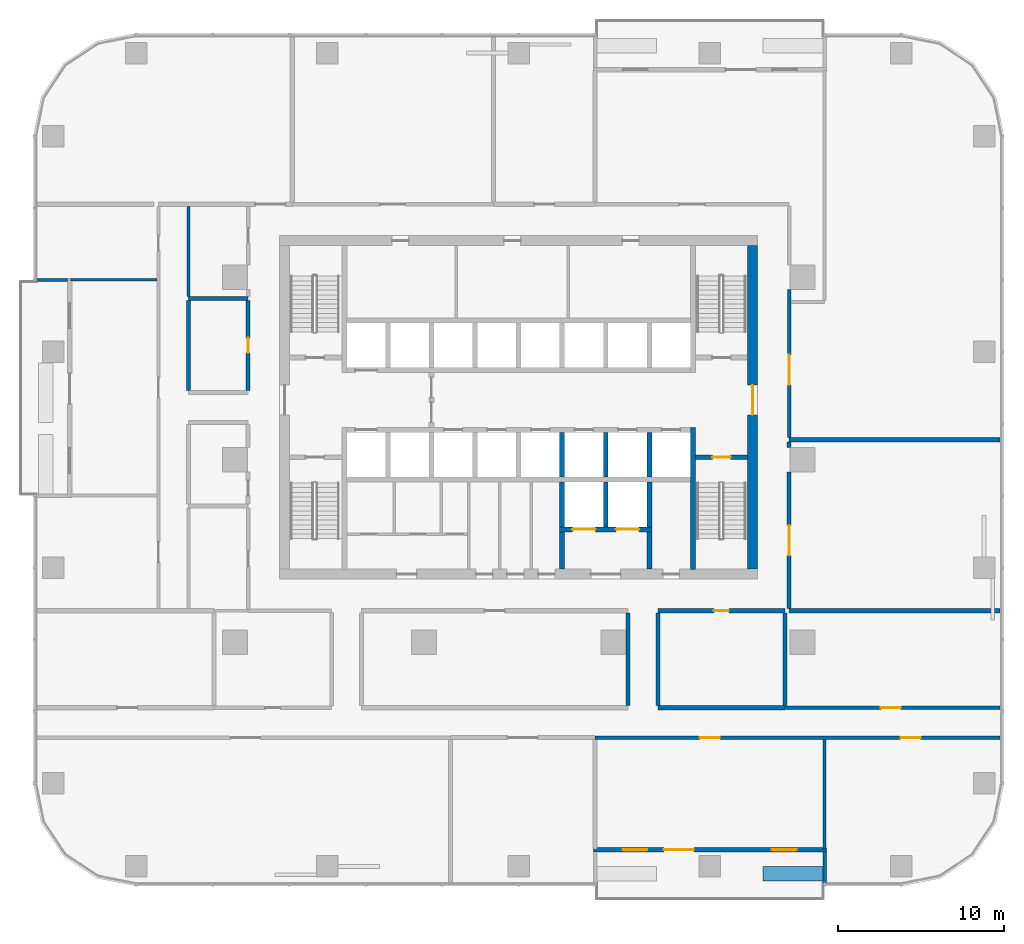
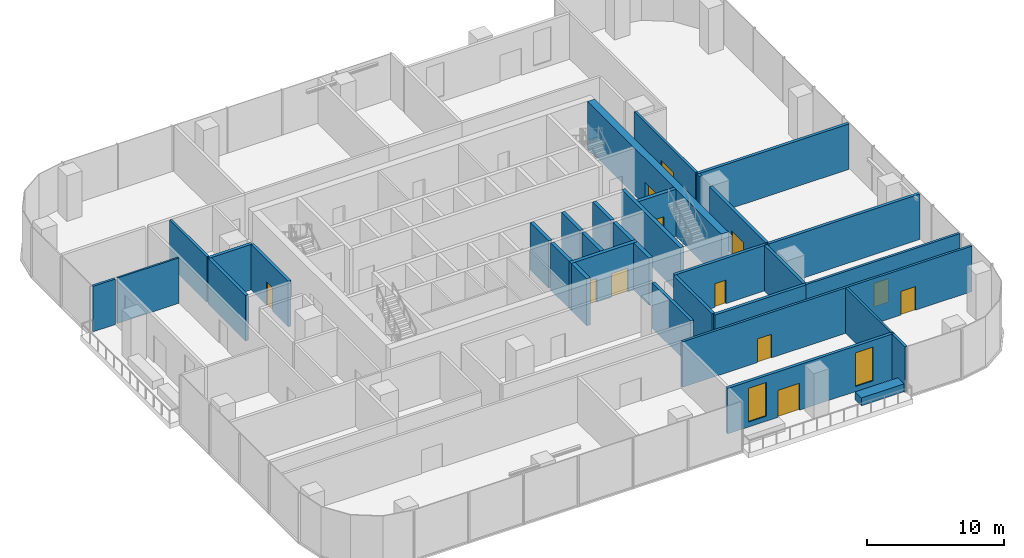
# One storey, part 9 of 15: 34 walls, 12 doors, 2 windows, 14 openings.
"""IFC4 building model written with IfcOpenShell, lengths in metres."""

from ifc_helpers import new_model, si_unit, direction, frame, frame_2d, origin, place, context, subcontext, project, spatial, rectangle, extrude, material, layer, layer_set, type_object, element, fill, save


model = new_model("IFC4")

# Units and contexts
model_context = context("Model", 3, precision=1e-05, world=origin(), true_north=direction((0.0, 1.0)))
body_context = subcontext(model_context, "Body", "Model", "MODEL_VIEW")
ifc_project = project(units=[si_unit("LENGTHUNIT", "METRE"), si_unit("AREAUNIT", "SQUARE_METRE"), si_unit("VOLUMEUNIT", "CUBIC_METRE"), si_unit("PLANEANGLEUNIT", "RADIAN"), si_unit("MASSUNIT", "GRAM", prefix="KILO")], contexts=[model_context])

# Site, building, storey
site_placement = place(None, origin())
site = spatial("IfcSite", under=ifc_project, at=site_placement, CompositionType="ELEMENT")
building_placement = place(site_placement, origin())
building = spatial("IfcBuilding", under=site, at=building_placement, Name="Mopane Tessera Tower", CompositionType="ELEMENT")
storey_placement = place(building_placement, frame((0.0, 0.0, 117.10009765625)))
storey = spatial("IfcBuildingStorey", under=building, at=storey_placement, Name="L23", CompositionType="ELEMENT", Elevation=117.10009765625)

# Wall, opening, door
ifc_material_1 = material(Name="Concrete C70/85", Category="concrete")
ifc_layer_1 = layer(ifc_material_1, 0.60009765625)
ifc_layer_set_1 = layer_set([ifc_layer_1], Name="Concrete C70/85")
wall_type_1 = type_object("IfcWallType", Name="Core shear wall 600 mm", PredefinedType="SHEAR", material=ifc_layer_set_1)
wall_1_placement = place(storey_placement, frame((14.10009765625, -6.60009765625, 0.0), z_axis=(0.0, 0.0, 1.0), x_axis=(0.0, 1.0, 0.0)))
wall_1 = element("IfcWall", 1, at=wall_1_placement, inside=storey, type_object=wall_type_1, Name="L23 Core wall east", PredefinedType="SHEAR", context=body_context, shape_type="SweptSolid", body=[
    extrude(rectangle(XDim=19.5, YDim=0.60009765625, at=frame_2d((9.75, 0.0))), origin(), (0.0, 0.0, 1.0), 4.199951171875),
])
opening_1_placement = place(wall_1_placement, frame((9.300048828125, 0.0, 0.0)))
opening_1 = element("IfcOpeningElement", 2, at=opening_1_placement, cuts=wall_1, Name="Opening SD2", PredefinedType="OPENING", context=body_context, shape_type="SweptSolid", body=[
    extrude(rectangle(XDim=1.800048828125, YDim=2.10009765625, at=frame_2d((0.89990234375, 1.050048828125))), frame((0.0, 0.31201171875, 0.0), z_axis=(0.0, -1.0, 0.0), x_axis=(1.0, 0.0, 0.0)), (0.0, 0.0, 1.0), 0.6240234375),
])
ifc_material_2 = material(Name="Steel fire door", Category="steel")
door_type_1 = type_object("IfcDoorType", Name="Core entrance double door 1800 x 2100", OperationType="DOUBLE_DOOR_SINGLE_SWING", PredefinedType="DOOR", material=ifc_material_2)
door_1_placement = place(opening_1_placement, origin())
door_1 = element("IfcDoor", 3, at=door_1_placement, inside=storey, type_object=door_type_1, Name="L23 Core entrance door east", OperationType="DOUBLE_DOOR_SINGLE_SWING", OverallHeight=2.10009765625, OverallWidth=1.800048828125, PredefinedType="DOOR", context=body_context, shape_type="SweptSolid", body=[
    extrude(rectangle(XDim=1.800048828125, YDim=2.10009765625, at=frame_2d((0.89990234375, 1.050048828125))), frame((0.0, 0.02490234375, 0.0), z_axis=(0.0, -1.0, 0.0), x_axis=(1.0, 0.0, 0.0)), (0.0, 0.0, 1.0), 0.050048828125),
])
fill(opening_1, door_1)

# Walls
ifc_material_3 = material(Name="Concrete C60/75", Category="concrete")
ifc_layer_2 = layer(ifc_material_3, 0.300048828125)
ifc_layer_set_2 = layer_set([ifc_layer_2], Name="Concrete C60/75")
wall_type_2 = type_object("IfcWallType", Name="Core spine wall 300 mm", PredefinedType="SHEAR", material=ifc_layer_set_2)
wall_2_placement = place(storey_placement, frame((10.5, -6.60009765625, 0.0), z_axis=(0.0, 0.0, 1.0), x_axis=(0.0, 1.0, 0.0)))
element("IfcWall", 4, at=wall_2_placement, inside=storey, type_object=wall_type_2, Name="L23 Core spine wall", PredefinedType="SHEAR", context=body_context, shape_type="SweptSolid", body=[
    extrude(rectangle(XDim=8.550048828125, YDim=0.300048828125, at=frame_2d((4.27490234375, 0.0))), origin(), (0.0, 0.0, 1.0), 4.199951171875),
])
ifc_material_4 = material(Name="Gypsum board on staggered steel studs, double layer each face, acoustic mineral wool infill", Category="steel")
ifc_layer_3 = layer(ifc_material_4, 0.175048828125)
ifc_layer_set_3 = layer_set([ifc_layer_3], Name="Gypsum board on staggered steel studs, double layer each face, acoustic mineral wool infill")
wall_type_3 = type_object("IfcWallType", Name="Gypsum board acoustic partition 175, rated EI 60", PredefinedType="PARTITIONING", material=ifc_layer_set_3)
wall_3_placement = place(storey_placement, frame((18.43994140625, -23.449951171875, 0.0), z_axis=(0.0, 0.0, 1.0), x_axis=(0.0, 1.0, 0.0)))
element("IfcWall", 5, at=wall_3_placement, inside=storey, type_object=wall_type_3, Name="Partition L23:053", PredefinedType="PARTITIONING", context=body_context, shape_type="SweptSolid", body=[
    extrude(rectangle(XDim=6.599853515625, YDim=0.175048828125, at=frame_2d((3.2998046875, 0.0))), origin(), (0.0, 0.0, 1.0), 4.0498046875),
])

# Wall, openings, doors
ifc_material_5 = material(Name="Gypsum board on steel studs, two layers each face, mineral wool infill", Category="steel")
ifc_layer_4 = layer(ifc_material_5, 0.199951171875)
ifc_layer_set_4 = layer_set([ifc_layer_4], Name="Gypsum board on steel studs, two layers each face, mineral wool infill")
wall_type_4 = type_object("IfcWallType", Name="Gypsum board corridor wall 200, rated EI 60", PredefinedType="PARTITIONING", material=ifc_layer_set_4)
wall_4_placement = place(storey_placement, frame((4.610107421875, -16.75, 0.0), z_axis=(0.0, 0.0, 1.0), x_axis=(1.0, 0.0, 0.0)))
wall_4 = element("IfcWall", 6, at=wall_4_placement, inside=storey, type_object=wall_type_4, Name="Partition L23:001", PredefinedType="PARTITIONING", context=body_context, shape_type="SweptSolid", body=[
    extrude(rectangle(XDim=24.389892578125, YDim=0.199951171875, at=frame_2d((12.19482421875, 0.0))), origin(), (0.0, 0.0, 1.0), 4.0498046875),
])
opening_2_placement = place(wall_4_placement, frame((18.409912109375, 0.0, 0.0)))
opening_2 = element("IfcOpeningElement", 7, at=opening_2_placement, cuts=wall_4, Name="Opening L23-05", PredefinedType="OPENING", context=body_context, shape_type="SweptSolid", body=[
    extrude(rectangle(XDim=1.199951171875, YDim=2.10009765625, at=frame_2d((0.60009765625, 1.050048828125))), frame((0.0, 0.112060546875, 0.0), z_axis=(0.0, -1.0, 0.0), x_axis=(1.0, 0.0, 0.0)), (0.0, 0.0, 1.0), 0.223876953125),
])
opening_3_placement = place(wall_4_placement, frame((6.31494140625, 0.0, 0.0)))
opening_3 = element("IfcOpeningElement", 8, at=opening_3_placement, cuts=wall_4, Name="Opening L23-17", PredefinedType="OPENING", context=body_context, shape_type="SweptSolid", body=[
    extrude(rectangle(XDim=1.199951171875, YDim=2.10009765625, at=frame_2d((0.60009765625, 1.050048828125))), frame((0.0, 0.112060546875, 0.0), z_axis=(0.0, -1.0, 0.0), x_axis=(1.0, 0.0, 0.0)), (0.0, 0.0, 1.0), 0.223876953125),
])
ifc_material_6 = material(Name="Timber veneered steel-framed fire door", Category="steel")
door_type_2 = type_object("IfcDoorType", Name="Fire door FD60 1200 x 2100", OperationType="SINGLE_SWING_LEFT", PredefinedType="DOOR", material=ifc_material_6)
door_2_placement = place(opening_2_placement, origin())
door_2 = element("IfcDoor", 9, at=door_2_placement, inside=storey, type_object=door_type_2, Name="Door L23-05", ObjectType="D15A", OperationType="SINGLE_SWING_LEFT", OverallHeight=2.10009765625, OverallWidth=1.199951171875, PredefinedType="DOOR", context=body_context, shape_type="SweptSolid", body=[
    extrude(rectangle(XDim=1.199951171875, YDim=2.10009765625, at=frame_2d((0.60009765625, 1.050048828125))), frame((0.0, 0.02490234375, 0.0), z_axis=(0.0, -1.0, 0.0), x_axis=(1.0, 0.0, 0.0)), (0.0, 0.0, 1.0), 0.050048828125),
])
fill(opening_2, door_2)
door_3_placement = place(opening_3_placement, origin())
door_3 = element("IfcDoor", 10, at=door_3_placement, inside=storey, type_object=door_type_2, Name="Door L23-17", ObjectType="D15A", OperationType="SINGLE_SWING_LEFT", OverallHeight=2.10009765625, OverallWidth=1.199951171875, PredefinedType="DOOR", context=body_context, shape_type="SweptSolid", body=[
    extrude(rectangle(XDim=1.199951171875, YDim=2.10009765625, at=frame_2d((0.60009765625, 1.050048828125))), frame((0.0, 0.02490234375, 0.0), z_axis=(0.0, -1.0, 0.0), x_axis=(1.0, 0.0, 0.0)), (0.0, 0.0, 1.0), 0.050048828125),
])
fill(opening_3, door_3)

# Wall, opening, door
wall_5_placement = place(storey_placement, frame((16.044921875, -14.949951171875, 0.0), z_axis=(0.0, 0.0, 1.0), x_axis=(1.0, 0.0, 0.0)))
wall_5 = element("IfcWall", 11, at=wall_5_placement, inside=storey, type_object=wall_type_4, Name="Partition L23:004", PredefinedType="PARTITIONING", context=body_context, shape_type="SweptSolid", body=[
    extrude(rectangle(XDim=12.955078125, YDim=0.199951171875, at=frame_2d((6.4775390625, 0.0))), origin(), (0.0, 0.0, 1.0), 4.0498046875),
])
opening_4_placement = place(wall_5_placement, frame((5.777587890625, 0.0, 0.0)))
opening_4 = element("IfcOpeningElement", 12, at=opening_4_placement, cuts=wall_5, Name="Opening L23-21", PredefinedType="OPENING", context=body_context, shape_type="SweptSolid", body=[
    extrude(rectangle(XDim=1.199951171875, YDim=2.10009765625, at=frame_2d((0.60009765625, 1.050048828125))), frame((0.0, 0.112060546875, 0.0), z_axis=(0.0, -1.0, 0.0), x_axis=(1.0, 0.0, 0.0)), (0.0, 0.0, 1.0), 0.223876953125),
])
door_4_placement = place(opening_4_placement, origin())
door_4 = element("IfcDoor", 13, at=door_4_placement, inside=storey, type_object=door_type_2, Name="Door L23-21", ObjectType="D15A", OperationType="SINGLE_SWING_RIGHT", OverallHeight=2.10009765625, OverallWidth=1.199951171875, PredefinedType="DOOR", context=body_context, shape_type="SweptSolid", body=[
    extrude(rectangle(XDim=1.199951171875, YDim=2.10009765625, at=frame_2d((0.60009765625, 1.050048828125))), frame((0.0, 0.02490234375, 0.0), z_axis=(0.0, -1.0, 0.0), x_axis=(1.0, 0.0, 0.0)), (0.0, 0.0, 1.0), 0.050048828125),
])
fill(opening_4, door_4)

# Wall
wall_6_placement = place(storey_placement, frame((-19.89990234375, 9.85009765625, 0.0), z_axis=(0.0, 0.0, 1.0), x_axis=(0.0, 1.0, 0.0)))
element("IfcWall", 14, at=wall_6_placement, inside=storey, type_object=wall_type_4, Name="Partition L23:029", PredefinedType="PARTITIONING", context=body_context, shape_type="SweptSolid", body=[
    extrude(rectangle(XDim=5.4248046875, YDim=0.199951171875, at=frame_2d((2.71240234375, 0.0))), origin(), (0.0, 0.0, 1.0), 4.0498046875),
])

# Wall, opening, door
wall_7_placement = place(storey_placement, frame((16.300048828125, 1.324951171875, 0.0), z_axis=(0.0, 0.0, 1.0), x_axis=(0.0, 1.0, 0.0)))
wall_7 = element("IfcWall", 15, at=wall_7_placement, inside=storey, type_object=wall_type_4, Name="Partition L23:049", PredefinedType="PARTITIONING", context=body_context, shape_type="SweptSolid", body=[
    extrude(rectangle(XDim=8.925048828125, YDim=0.199951171875, at=frame_2d((4.46240234375, 0.0))), origin(), (0.0, 0.0, 1.0), 4.0498046875),
])
opening_5_placement = place(wall_7_placement, frame((3.1875, 0.0, 0.0)))
opening_5 = element("IfcOpeningElement", 16, at=opening_5_placement, cuts=wall_7, Name="Opening L23-04", PredefinedType="OPENING", context=body_context, shape_type="SweptSolid", body=[
    extrude(rectangle(XDim=1.800048828125, YDim=2.10009765625, at=frame_2d((0.89990234375, 1.050048828125))), frame((0.0, 0.112060546875, 0.0), z_axis=(0.0, -1.0, 0.0), x_axis=(1.0, 0.0, 0.0)), (0.0, 0.0, 1.0), 0.223876953125),
])
ifc_material_7 = material(Name="Timber veneered steel-framed fire door", Category="steel")
door_type_3 = type_object("IfcDoorType", Name="Fire door pair FD60 1800 x 2100", OperationType="DOUBLE_DOOR_SINGLE_SWING", PredefinedType="DOOR", material=ifc_material_7)
door_5_placement = place(opening_5_placement, origin())
door_5 = element("IfcDoor", 17, at=door_5_placement, inside=storey, type_object=door_type_3, Name="Door L23-04", ObjectType="D20A", OperationType="DOUBLE_DOOR_SINGLE_SWING", OverallHeight=2.10009765625, OverallWidth=1.800048828125, PredefinedType="DOOR", context=body_context, shape_type="SweptSolid", body=[
    extrude(rectangle(XDim=1.800048828125, YDim=2.10009765625, at=frame_2d((0.89990234375, 1.050048828125))), frame((0.0, 0.02490234375, 0.0), z_axis=(0.0, -1.0, 0.0), x_axis=(1.0, 0.0, 0.0)), (0.0, 0.0, 1.0), 0.050048828125),
])
fill(opening_5, door_5)

# Wall
ifc_material_8 = material(Name="Gypsum board on steel studs, mineral wool infill", Category="steel")
ifc_layer_5 = layer(ifc_material_8, 0.14990234375)
ifc_layer_set_5 = layer_set([ifc_layer_5], Name="Gypsum board on steel studs, mineral wool infill")
wall_type_5 = type_object("IfcWallType", Name="Gypsum board partition 150, rated EI 60", PredefinedType="PARTITIONING", material=ifc_layer_set_5)
wall_8_placement = place(storey_placement, frame((-27.0, 10.8349609375, 0.0), z_axis=(0.0, 0.0, 1.0), x_axis=(1.0, 0.0, 0.0)))
element("IfcWall", 18, at=wall_8_placement, inside=storey, type_object=wall_type_5, Name="Partition L23:021", PredefinedType="PARTITIONING", context=body_context, shape_type="SweptSolid", body=[
    extrude(rectangle(XDim=5.199951171875, YDim=0.14990234375, at=frame_2d((2.60009765625, 0.0))), origin(), (0.0, 0.0, 1.0), 4.0498046875),
])

# Wall, opening, door
ifc_material_9 = material(Name="Concrete C50/60", Category="concrete")
ifc_layer_6 = layer(ifc_material_9, 0.300048828125)
ifc_layer_set_6 = layer_set([ifc_layer_6], Name="Concrete C50/60")
wall_type_6 = type_object("IfcWallType", Name="Lift and stair shaft wall 300 mm", PredefinedType="SOLIDWALL", material=ifc_layer_set_6)
wall_9_placement = place(storey_placement, frame((10.64990234375, 0.14990234375, 0.0), z_axis=(0.0, 0.0, 1.0), x_axis=(1.0, 0.0, 0.0)))
wall_9 = element("IfcWall", 19, at=wall_9_placement, inside=storey, type_object=wall_type_6, Name="L23 Stair enclosure wall", PredefinedType="SOLIDWALL", context=body_context, shape_type="SweptSolid", body=[
    extrude(rectangle(XDim=3.150146484375, YDim=0.300048828125, at=frame_2d((1.5751953125, 0.0))), origin(), (0.0, 0.0, 1.0), 4.199951171875),
])
opening_6_placement = place(wall_9_placement, frame((1.02490234375, 0.0, 0.0)))
opening_6 = element("IfcOpeningElement", 20, at=opening_6_placement, cuts=wall_9, Name="Opening SD1", PredefinedType="OPENING", context=body_context, shape_type="SweptSolid", body=[
    extrude(rectangle(XDim=1.10009765625, YDim=2.10009765625, at=frame_2d((0.550048828125, 1.050048828125))), frame((0.0, 0.162109375, 0.0), z_axis=(0.0, -1.0, 0.0), x_axis=(1.0, 0.0, 0.0)), (0.0, 0.0, 1.0), 0.323974609375),
])
ifc_material_10 = material(Name="Steel fire door", Category="steel")
door_type_4 = type_object("IfcDoorType", Name="Stair fire door 1100 x 2100", OperationType="SINGLE_SWING_LEFT", PredefinedType="DOOR", material=ifc_material_10)
door_6_placement = place(opening_6_placement, origin())
door_6 = element("IfcDoor", 21, at=door_6_placement, inside=storey, type_object=door_type_4, Name="L23 Stair door ST3", OperationType="SINGLE_SWING_RIGHT", OverallHeight=2.10009765625, OverallWidth=1.10009765625, PredefinedType="DOOR", context=body_context, shape_type="SweptSolid", body=[
    extrude(rectangle(XDim=1.10009765625, YDim=2.10009765625, at=frame_2d((0.550048828125, 1.050048828125))), frame((0.0, 0.02490234375, 0.0), z_axis=(0.0, -1.0, 0.0), x_axis=(1.0, 0.0, 0.0)), (0.0, 0.0, 1.0), 0.050048828125),
])
fill(opening_6, door_6)

# Walls
for number, where, z_axis, x_axis, name in (
    (22, (2.625, -1.050048828125, 0.0), (0.0, 0.0, 1.0), (0.0, 1.0, 0.0), "L23 Lift shaft wall"),
    (23, (5.25, -1.050048828125, 0.0), (0.0, 0.0, 1.0), (0.0, 1.0, 0.0), "L23 Lift shaft wall"),
    (24, (7.875, -1.050048828125, 0.0), (0.0, 0.0, 1.0), (0.0, 1.0, 0.0), "L23 Lift shaft wall"),
):
    element("IfcWall", number, at=place(storey_placement, frame(where, z_axis=z_axis, x_axis=x_axis)), inside=storey, type_object=wall_type_6, Name=name, PredefinedType="SOLIDWALL", context=body_context, shape_type="SweptSolid", body=[
        extrude(rectangle(XDim=2.699951171875, YDim=0.300048828125, at=frame_2d((1.35009765625, 0.0))), origin(), (0.0, 0.0, 1.0), 4.199951171875),
    ])

# Wall, openings, doors
wall_10_placement = place(storey_placement, frame((2.47509765625, -4.199951171875, 0.0), z_axis=(0.0, 0.0, 1.0), x_axis=(1.0, 0.0, 0.0)))
wall_10 = element("IfcWall", 25, at=wall_10_placement, inside=storey, type_object=wall_type_6, Name="L23 Lift shaft front wall", PredefinedType="SOLIDWALL", context=body_context, shape_type="SweptSolid", body=[
    extrude(rectangle(XDim=5.5498046875, YDim=0.300048828125, at=frame_2d((2.77490234375, 0.0))), origin(), (0.0, 0.0, 1.0), 4.199951171875),
])
opening_7_placement = place(wall_10_placement, frame((0.762451171875, 0.0, 0.0)))
opening_7 = element("IfcOpeningElement", 26, at=opening_7_placement, cuts=wall_10, Name="Opening LD3", PredefinedType="OPENING", context=body_context, shape_type="SweptSolid", body=[
    extrude(rectangle(XDim=1.39990234375, YDim=2.10009765625, at=frame_2d((0.699951171875, 1.050048828125))), frame((0.0, 0.162109375, 0.0), z_axis=(0.0, -1.0, 0.0), x_axis=(1.0, 0.0, 0.0)), (0.0, 0.0, 1.0), 0.323974609375),
])
opening_8_placement = place(wall_10_placement, frame((3.387451171875, 0.0, 0.0)))
opening_8 = element("IfcOpeningElement", 27, at=opening_8_placement, cuts=wall_10, Name="Opening LD3", PredefinedType="OPENING", context=body_context, shape_type="SweptSolid", body=[
    extrude(rectangle(XDim=1.39990234375, YDim=2.10009765625, at=frame_2d((0.699951171875, 1.050048828125))), frame((0.0, 0.162109375, 0.0), z_axis=(0.0, -1.0, 0.0), x_axis=(1.0, 0.0, 0.0)), (0.0, 0.0, 1.0), 0.323974609375),
])
ifc_material_11 = material(Name="Stainless steel sliding door", Category="steel")
door_type_5 = type_object("IfcDoorType", Name="Service lift landing door 1400 x 2100", OperationType="DOUBLE_DOOR_SLIDING", PredefinedType="DOOR", material=ifc_material_11)
door_7_placement = place(opening_7_placement, origin())
door_7 = element("IfcDoor", 28, at=door_7_placement, inside=storey, type_object=door_type_5, Name="L23 Lift landing door SV1", OperationType="DOUBLE_DOOR_SLIDING", OverallHeight=2.10009765625, OverallWidth=1.39990234375, PredefinedType="DOOR", context=body_context, shape_type="SweptSolid", body=[
    extrude(rectangle(XDim=1.39990234375, YDim=2.10009765625, at=frame_2d((0.699951171875, 1.050048828125))), frame((0.0, 0.02490234375, 0.0), z_axis=(0.0, -1.0, 0.0), x_axis=(1.0, 0.0, 0.0)), (0.0, 0.0, 1.0), 0.050048828125),
])
fill(opening_7, door_7)
door_8_placement = place(opening_8_placement, origin())
door_8 = element("IfcDoor", 29, at=door_8_placement, inside=storey, type_object=door_type_5, Name="L23 Lift landing door SV2", OperationType="DOUBLE_DOOR_SLIDING", OverallHeight=2.10009765625, OverallWidth=1.39990234375, PredefinedType="DOOR", context=body_context, shape_type="SweptSolid", body=[
    extrude(rectangle(XDim=1.39990234375, YDim=2.10009765625, at=frame_2d((0.699951171875, 1.050048828125))), frame((0.0, 0.02490234375, 0.0), z_axis=(0.0, -1.0, 0.0), x_axis=(1.0, 0.0, 0.0)), (0.0, 0.0, 1.0), 0.050048828125),
])
fill(opening_8, door_8)

# Walls
for number, where, z_axis, x_axis, name in (
    (30, (2.625, -4.050048828125, 0.0), (0.0, 0.0, 1.0), (0.0, 1.0, 0.0), "L23 Lift shaft wall"),
    (31, (5.25, -4.050048828125, 0.0), (0.0, 0.0, 1.0), (0.0, 1.0, 0.0), "L23 Lift shaft wall"),
    (32, (7.875, -4.050048828125, 0.0), (0.0, 0.0, 1.0), (0.0, 1.0, 0.0), "L23 Lift shaft wall"),
):
    element("IfcWall", number, at=place(storey_placement, frame(where, z_axis=z_axis, x_axis=x_axis)), inside=storey, type_object=wall_type_6, Name=name, PredefinedType="SOLIDWALL", context=body_context, shape_type="SweptSolid", body=[
        extrude(rectangle(XDim=2.699951171875, YDim=0.300048828125, at=frame_2d((1.35009765625, 0.0))), origin(), (0.0, 0.0, 1.0), 4.199951171875),
    ])
ifc_material_12 = material(Name="Concrete C50/60", Category="concrete")
ifc_layer_7 = layer(ifc_material_12, 0.300048828125)
ifc_layer_set_7 = layer_set([ifc_layer_7], Name="Concrete C50/60")
wall_type_7 = type_object("IfcWallType", Name="Lobby and refuge room wall 300 mm", PredefinedType="SOLIDWALL", material=ifc_layer_set_7)
for number, where, z_axis, x_axis, name in (
    (33, (2.625, -6.60009765625, 0.0), (0.0, 0.0, 1.0), (0.0, 1.0, 0.0), "L23 Service lobby wall"),
    (34, (7.875, -6.60009765625, 0.0), (0.0, 0.0, 1.0), (0.0, 1.0, 0.0), "L23 Service lobby wall"),
):
    element("IfcWall", number, at=place(storey_placement, frame(where, z_axis=z_axis, x_axis=x_axis)), inside=storey, type_object=wall_type_7, Name=name, PredefinedType="SOLIDWALL", context=body_context, shape_type="SweptSolid", body=[
        extrude(rectangle(XDim=2.25, YDim=0.300048828125, at=frame_2d((1.125, 0.0))), origin(), (0.0, 0.0, 1.0), 4.199951171875),
    ])
ifc_material_13 = material(Name="Reinforced concrete C32/40 with waterproofing", Category="concrete")
ifc_layer_8 = layer(ifc_material_13, 0.89990234375)
ifc_layer_set_8 = layer_set([ifc_layer_8], Name="Reinforced concrete C32/40 with waterproofing")
wall_type_8 = type_object("IfcWallType", Name="Planter trough 3600 x 900", PredefinedType="STANDARD", material=ifc_layer_set_8)
wall_11_placement = place(storey_placement, frame((14.739990234375, -24.949951171875, 0.0), z_axis=(0.0, 0.0, 1.0), x_axis=(1.0, 0.0, 0.0)))
element("IfcWall", 35, at=wall_11_placement, inside=storey, type_object=wall_type_8, Name="e:nw:L23:N3:pl1", PredefinedType="STANDARD", context=body_context, shape_type="SweptSolid", body=[
    extrude(rectangle(XDim=3.60009765625, YDim=0.89990234375, at=frame_2d((1.800048828125, 0.0))), origin(), (0.0, 0.0, 1.0), 0.699951171875),
])
ifc_material_14 = material(Name="Plastered concrete blockwork C20/25", Category="masonry")
ifc_layer_9 = layer(ifc_material_14, 0.25)
ifc_layer_set_9 = layer_set([ifc_layer_9], Name="Plastered concrete blockwork C20/25")
wall_type_9 = type_object("IfcWallType", Name="Plastered blockwork wall 250, rated EI 120", PredefinedType="PARTITIONING", material=ifc_layer_set_9)
wall_12_placement = place(storey_placement, frame((8.389892578125, -14.949951171875, 0.0), z_axis=(0.0, 0.0, 1.0), x_axis=(1.0, 0.0, 0.0)))
element("IfcWall", 36, at=wall_12_placement, inside=storey, type_object=wall_type_9, Name="Partition L23:007", PredefinedType="PARTITIONING", context=body_context, shape_type="SweptSolid", body=[
    extrude(rectangle(XDim=7.655029296875, YDim=0.25, at=frame_2d((3.82763671875, 0.0))), origin(), (0.0, 0.0, 1.0), 4.0498046875),
])

# Wall, opening, door
wall_13_placement = place(storey_placement, frame((8.389892578125, -9.10009765625, 0.0), z_axis=(0.0, 0.0, 1.0), x_axis=(1.0, 0.0, 0.0)))
wall_13 = element("IfcWall", 37, at=wall_13_placement, inside=storey, type_object=wall_type_9, Name="Partition L23:012", PredefinedType="PARTITIONING", context=body_context, shape_type="SweptSolid", body=[
    extrude(rectangle(XDim=7.655029296875, YDim=0.25, at=frame_2d((3.82763671875, 0.0))), origin(), (0.0, 0.0, 1.0), 4.0498046875),
])
opening_9_placement = place(wall_13_placement, frame((3.37744140625, 0.0, 0.0)))
opening_9 = element("IfcOpeningElement", 38, at=opening_9_placement, cuts=wall_13, Name="Opening L23-10", PredefinedType="OPENING", context=body_context, shape_type="SweptSolid", body=[
    extrude(rectangle(XDim=0.89990234375, YDim=2.10009765625, at=frame_2d((0.449951171875, 1.050048828125))), frame((0.0, 0.136962890625, 0.0), z_axis=(0.0, -1.0, 0.0), x_axis=(1.0, 0.0, 0.0)), (0.0, 0.0, 1.0), 0.27392578125),
])
ifc_material_15 = material(Name="Timber veneered steel-framed fire door", Category="steel")
door_type_6 = type_object("IfcDoorType", Name="Fire door FD120 900 x 2100", OperationType="SINGLE_SWING_LEFT", PredefinedType="DOOR", material=ifc_material_15)
door_9_placement = place(opening_9_placement, origin())
door_9 = element("IfcDoor", 39, at=door_9_placement, inside=storey, type_object=door_type_6, Name="Door L23-10", ObjectType="D10B", OperationType="SINGLE_SWING_LEFT", OverallHeight=2.10009765625, OverallWidth=0.89990234375, PredefinedType="DOOR", context=body_context, shape_type="SweptSolid", body=[
    extrude(rectangle(XDim=0.89990234375, YDim=2.10009765625, at=frame_2d((0.449951171875, 1.050048828125))), frame((0.0, 0.02490234375, 0.0), z_axis=(0.0, -1.0, 0.0), x_axis=(1.0, 0.0, 0.0)), (0.0, 0.0, 1.0), 0.050048828125),
])
fill(opening_9, door_9)

# Walls
for number, where, z_axis, x_axis, name in (
    (40, (16.300048828125, -9.10009765625, 0.0), (0.0, 0.0, 1.0), (1.0, 0.0, 0.0), "Partition L23:013"),
    (41, (16.300048828125, 1.199951171875, 0.0), (0.0, 0.0, 1.0), (1.0, 0.0, 0.0), "Partition L23:016"),
):
    element("IfcWall", number, at=place(storey_placement, frame(where, z_axis=z_axis, x_axis=x_axis)), inside=storey, type_object=wall_type_9, Name=name, PredefinedType="PARTITIONING", context=body_context, shape_type="SweptSolid", body=[
        extrude(rectangle(XDim=12.699951171875, YDim=0.25, at=frame_2d((6.35009765625, 0.0))), origin(), (0.0, 0.0, 1.0), 4.0498046875),
    ])
wall_14_placement = place(storey_placement, frame((-19.89990234375, 9.72509765625, 0.0), z_axis=(0.0, 0.0, 1.0), x_axis=(1.0, 0.0, 0.0)))
element("IfcWall", 42, at=wall_14_placement, inside=storey, type_object=wall_type_9, Name="Partition L23:020", PredefinedType="PARTITIONING", context=body_context, shape_type="SweptSolid", body=[
    extrude(rectangle(XDim=3.599853515625, YDim=0.25, at=frame_2d((1.7998046875, 0.0))), origin(), (0.0, 0.0, 1.0), 4.0498046875),
])
wall_15_placement = place(storey_placement, frame((-19.89990234375, 4.175048828125, 0.0), z_axis=(0.0, 0.0, 1.0), x_axis=(0.0, 1.0, 0.0)))
element("IfcWall", 43, at=wall_15_placement, inside=storey, type_object=wall_type_9, Name="Partition L23:031", PredefinedType="PARTITIONING", context=body_context, shape_type="SweptSolid", body=[
    extrude(rectangle(XDim=5.425048828125, YDim=0.25, at=frame_2d((2.71240234375, 0.0))), origin(), (0.0, 0.0, 1.0), 4.0498046875),
])

# Wall, opening, door
wall_16_placement = place(storey_placement, frame((-16.300048828125, 4.175048828125, 0.0), z_axis=(0.0, 0.0, 1.0), x_axis=(0.0, 1.0, 0.0)))
wall_16 = element("IfcWall", 44, at=wall_16_placement, inside=storey, type_object=wall_type_9, Name="Partition L23:038", PredefinedType="PARTITIONING", context=body_context, shape_type="SweptSolid", body=[
    extrude(rectangle(XDim=5.425048828125, YDim=0.25, at=frame_2d((2.71240234375, 0.0))), origin(), (0.0, 0.0, 1.0), 4.0498046875),
])
opening_10_placement = place(wall_16_placement, frame((2.262451171875, 0.0, 0.0)))
opening_10 = element("IfcOpeningElement", 45, at=opening_10_placement, cuts=wall_16, Name="Opening L23-09", PredefinedType="OPENING", context=body_context, shape_type="SweptSolid", body=[
    extrude(rectangle(XDim=0.89990234375, YDim=2.10009765625, at=frame_2d((0.449951171875, 1.050048828125))), frame((0.0, 0.136962890625, 0.0), z_axis=(0.0, -1.0, 0.0), x_axis=(1.0, 0.0, 0.0)), (0.0, 0.0, 1.0), 0.27392578125),
])
door_10_placement = place(opening_10_placement, origin())
door_10 = element("IfcDoor", 46, at=door_10_placement, inside=storey, type_object=door_type_6, Name="Door L23-09", ObjectType="D10B", OperationType="SINGLE_SWING_LEFT", OverallHeight=2.10009765625, OverallWidth=0.89990234375, PredefinedType="DOOR", context=body_context, shape_type="SweptSolid", body=[
    extrude(rectangle(XDim=0.89990234375, YDim=2.10009765625, at=frame_2d((0.449951171875, 1.050048828125))), frame((0.0, 0.02490234375, 0.0), z_axis=(0.0, -1.0, 0.0), x_axis=(1.0, 0.0, 0.0)), (0.0, 0.0, 1.0), 0.050048828125),
])
fill(opening_10, door_10)

# Walls
for number, where, z_axis, x_axis, name in (
    (47, (6.590087890625, -14.824951171875, 0.0), (0.0, 0.0, 1.0), (0.0, 1.0, 0.0), "Partition L23:046"),
    (48, (8.389892578125, -14.824951171875, 0.0), (0.0, 0.0, 1.0), (0.0, 1.0, 0.0), "Partition L23:047"),
    (49, (16.044921875, -14.824951171875, 0.0), (0.0, 0.0, 1.0), (0.0, 1.0, 0.0), "Partition L23:048"),
):
    element("IfcWall", number, at=place(storey_placement, frame(where, z_axis=z_axis, x_axis=x_axis)), inside=storey, type_object=wall_type_9, Name=name, PredefinedType="PARTITIONING", context=body_context, shape_type="SweptSolid", body=[
        extrude(rectangle(XDim=5.599853515625, YDim=0.25, at=frame_2d((2.7998046875, 0.0))), origin(), (0.0, 0.0, 1.0), 4.0498046875),
    ])

# Wall, opening, door
wall_17_placement = place(storey_placement, frame((16.300048828125, -8.97509765625, 0.0), z_axis=(0.0, 0.0, 1.0), x_axis=(0.0, 1.0, 0.0)))
wall_17 = element("IfcWall", 50, at=wall_17_placement, inside=storey, type_object=wall_type_9, Name="Partition L23:051", PredefinedType="PARTITIONING", context=body_context, shape_type="SweptSolid", body=[
    extrude(rectangle(XDim=8.22509765625, YDim=0.25, at=frame_2d((4.112548828125, 0.0))), origin(), (0.0, 0.0, 1.0), 4.0498046875),
])
opening_11_placement = place(wall_17_placement, frame((3.21240234375, 0.0, 0.0)))
opening_11 = element("IfcOpeningElement", 51, at=opening_11_placement, cuts=wall_17, Name="Opening L23-06", PredefinedType="OPENING", context=body_context, shape_type="SweptSolid", body=[
    extrude(rectangle(XDim=1.800048828125, YDim=2.10009765625, at=frame_2d((0.89990234375, 1.050048828125))), frame((0.0, 0.136962890625, 0.0), z_axis=(0.0, -1.0, 0.0), x_axis=(1.0, 0.0, 0.0)), (0.0, 0.0, 1.0), 0.27392578125),
])
ifc_material_16 = material(Name="Timber veneered steel-framed fire door", Category="steel")
door_type_7 = type_object("IfcDoorType", Name="Fire door pair FD120 1800 x 2100", OperationType="DOUBLE_DOOR_SINGLE_SWING", PredefinedType="DOOR", material=ifc_material_16)
door_11_placement = place(opening_11_placement, origin())
door_11 = element("IfcDoor", 52, at=door_11_placement, inside=storey, type_object=door_type_7, Name="Door L23-06", ObjectType="D20B", OperationType="DOUBLE_DOOR_SINGLE_SWING", OverallHeight=2.10009765625, OverallWidth=1.800048828125, PredefinedType="DOOR", context=body_context, shape_type="SweptSolid", body=[
    extrude(rectangle(XDim=1.800048828125, YDim=2.10009765625, at=frame_2d((0.89990234375, 1.050048828125))), frame((0.0, 0.02490234375, 0.0), z_axis=(0.0, -1.0, 0.0), x_axis=(1.0, 0.0, 0.0)), (0.0, 0.0, 1.0), 0.050048828125),
])
fill(opening_11, door_11)

# Walls
wall_18_placement = place(storey_placement, frame((16.300048828125, 0.75, 0.0), z_axis=(0.0, 0.0, 1.0), x_axis=(0.0, 1.0, 0.0)))
element("IfcWall", 53, at=wall_18_placement, inside=storey, type_object=wall_type_9, Name="Partition L23:052", PredefinedType="PARTITIONING", context=body_context, shape_type="SweptSolid", body=[
    extrude(rectangle(XDim=0.324951171875, YDim=0.25, at=frame_2d((0.16259765625, 0.0))), origin(), (0.0, 0.0, 1.0), 4.0498046875),
])
ifc_material_17 = material(Name="Blockwork with glazed tile facing", Category="masonry")
ifc_layer_10 = layer(ifc_material_17, 0.199951171875)
ifc_layer_set_10 = layer_set([ifc_layer_10], Name="Blockwork with glazed tile facing")
wall_type_10 = type_object("IfcWallType", Name="Terrace cheek wall 200", PredefinedType="STANDARD", material=ifc_layer_set_10)
for number, where, z_axis, x_axis, name in (
    (54, (-29.050048828125, 10.833251953125, 0.0), (0.0, 0.0, 1.0), (1.0, 0.0, 0.0), "e:nw:L23:N2:cheeka"),
    (55, (18.43994140625, -25.5, 0.0), (0.0, 0.0, 1.0), (0.0, 1.0, 0.0), "e:nw:L23:N3:cheekb"),
):
    element("IfcWall", number, at=place(storey_placement, frame(where, z_axis=z_axis, x_axis=x_axis)), inside=storey, type_object=wall_type_10, Name=name, PredefinedType="STANDARD", context=body_context, shape_type="SweptSolid", body=[
        extrude(rectangle(XDim=1.875, YDim=0.199951171875, at=frame_2d((0.9375, 0.0))), origin(), (0.0, 0.0, 1.0), 4.0498046875),
    ])

# Wall, openings, windows, door
ifc_material_18 = material(Name="Blockwork with turquoise glazed tile facing", Category="masonry")
ifc_layer_11 = layer(ifc_material_18, 0.25)
ifc_layer_set_11 = layer_set([ifc_layer_11], Name="Blockwork with turquoise glazed tile facing")
wall_type_11 = type_object("IfcWallType", Name="Tile-clad external wall 250, turquoise", PredefinedType="STANDARD", material=ifc_layer_set_11)
wall_19_placement = place(storey_placement, frame((4.510009765625, -23.5, 0.0), z_axis=(0.0, 0.0, 1.0), x_axis=(1.0, 0.0, 0.0)))
wall_19 = element("IfcWall", 56, at=wall_19_placement, inside=storey, type_object=wall_type_11, Name="e:nw:L23:N3:back", PredefinedType="STANDARD", context=body_context, shape_type="SweptSolid", body=[
    extrude(rectangle(XDim=14.030029296875, YDim=0.25, at=frame_2d((7.01513671875, 0.0))), origin(), (0.0, 0.0, 1.0), 4.0498046875),
])
opening_12_placement = place(wall_19_placement, frame((1.75, 0.0, 0.449951171875)))
opening_12 = element("IfcOpeningElement", 57, at=opening_12_placement, cuts=wall_19, Name="Opening NW233A", PredefinedType="OPENING", context=body_context, shape_type="SweptSolid", body=[
    extrude(rectangle(XDim=1.5, YDim=3.0, at=frame_2d((0.75, 1.5))), frame((0.0, 0.136962890625, 0.0), z_axis=(0.0, -1.0, 0.0), x_axis=(1.0, 0.0, 0.0)), (0.0, 0.0, 1.0), 0.27392578125),
])
opening_13_placement = place(wall_19_placement, frame((4.25, 0.0, 0.0)))
opening_13 = element("IfcOpeningElement", 58, at=opening_13_placement, cuts=wall_19, Name="Opening ND233", PredefinedType="OPENING", context=body_context, shape_type="SweptSolid", body=[
    extrude(rectangle(XDim=1.800048828125, YDim=2.39990234375, at=frame_2d((0.89990234375, 1.199951171875))), frame((0.0, 0.136962890625, 0.0), z_axis=(0.0, -1.0, 0.0), x_axis=(1.0, 0.0, 0.0)), (0.0, 0.0, 1.0), 0.27392578125),
])
opening_14_placement = place(wall_19_placement, frame((10.75, 0.0, 0.449951171875)))
opening_14 = element("IfcOpeningElement", 59, at=opening_14_placement, cuts=wall_19, Name="Opening NW233B", PredefinedType="OPENING", context=body_context, shape_type="SweptSolid", body=[
    extrude(rectangle(XDim=1.5, YDim=3.0, at=frame_2d((0.75, 1.5))), frame((0.0, 0.136962890625, 0.0), z_axis=(0.0, -1.0, 0.0), x_axis=(1.0, 0.0, 0.0)), (0.0, 0.0, 1.0), 0.27392578125),
])
ifc_material_19 = material(Name="Clear laminated glass", Category="glass")
window_type = type_object("IfcWindowType", Name="Fixed window 1500 x 3000", PartitioningType="SINGLE_PANEL", PredefinedType="WINDOW", material=ifc_material_19)
window_1_placement = place(opening_12_placement, origin())
window_1 = element("IfcWindow", 60, at=window_1_placement, inside=storey, type_object=window_type, Name="e:nw:L23:N3:win0", OverallHeight=3.0, OverallWidth=1.5, PartitioningType="SINGLE_PANEL", PredefinedType="WINDOW", context=body_context, shape_type="SweptSolid", body=[
    extrude(rectangle(XDim=1.5, YDim=3.0, at=frame_2d((0.75, 1.5))), frame((0.0, 0.030029296875, 0.0), z_axis=(0.0, -1.0, 0.0), x_axis=(1.0, 0.0, 0.0)), (0.0, 0.0, 1.0), 0.06005859375),
])
fill(opening_12, window_1)
window_2_placement = place(opening_14_placement, origin())
window_2 = element("IfcWindow", 61, at=window_2_placement, inside=storey, type_object=window_type, Name="e:nw:L23:N3:win2", OverallHeight=3.0, OverallWidth=1.5, PartitioningType="SINGLE_PANEL", PredefinedType="WINDOW", context=body_context, shape_type="SweptSolid", body=[
    extrude(rectangle(XDim=1.5, YDim=3.0, at=frame_2d((0.75, 1.5))), frame((0.0, 0.030029296875, 0.0), z_axis=(0.0, -1.0, 0.0), x_axis=(1.0, 0.0, 0.0)), (0.0, 0.0, 1.0), 0.06005859375),
])
fill(opening_14, window_2)
ifc_material_20 = material(Name="Aluminium and clear glass", Category="aluminium")
door_type_8 = type_object("IfcDoorType", Name="Terrace double door 1800 x 2400", OperationType="DOUBLE_DOOR_SINGLE_SWING", PredefinedType="DOOR", material=ifc_material_20)
door_12_placement = place(opening_13_placement, origin())
door_12 = element("IfcDoor", 62, at=door_12_placement, inside=storey, type_object=door_type_8, Name="e:nw:L23:N3:door", ObjectType="D1", OperationType="DOUBLE_DOOR_SINGLE_SWING", OverallHeight=2.39990234375, OverallWidth=1.800048828125, PredefinedType="DOOR", context=body_context, shape_type="SweptSolid", body=[
    extrude(rectangle(XDim=1.800048828125, YDim=2.39990234375, at=frame_2d((0.89990234375, 1.199951171875))), frame((0.0, 0.02490234375, 0.0), z_axis=(0.0, -1.0, 0.0), x_axis=(1.0, 0.0, 0.0)), (0.0, 0.0, 1.0), 0.050048828125),
])
fill(opening_13, door_12)

save(model, "model.ifc")
